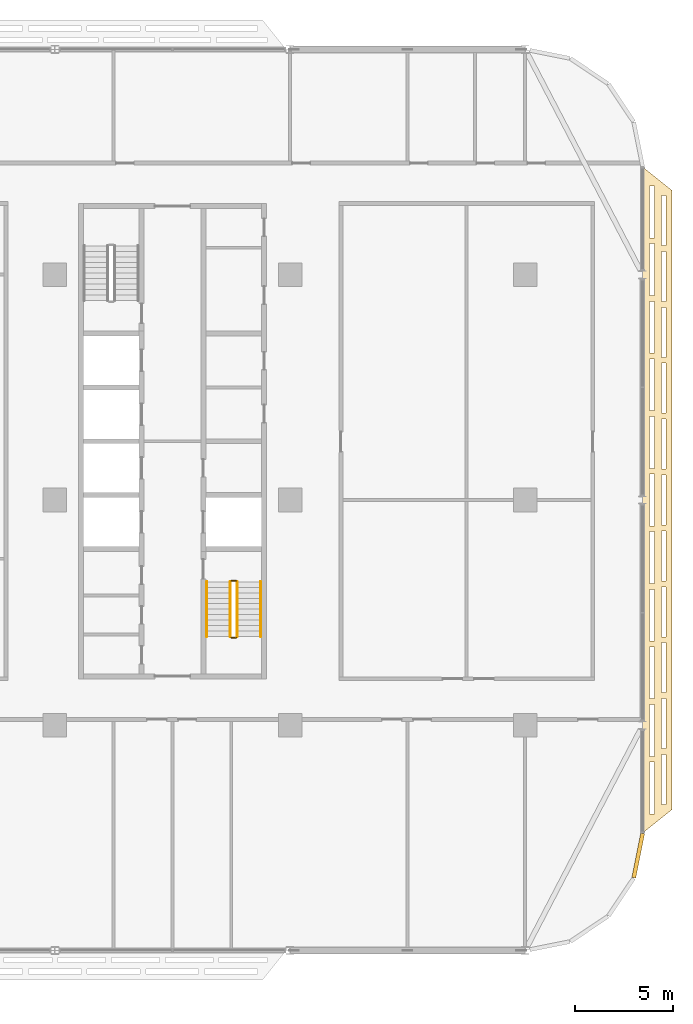
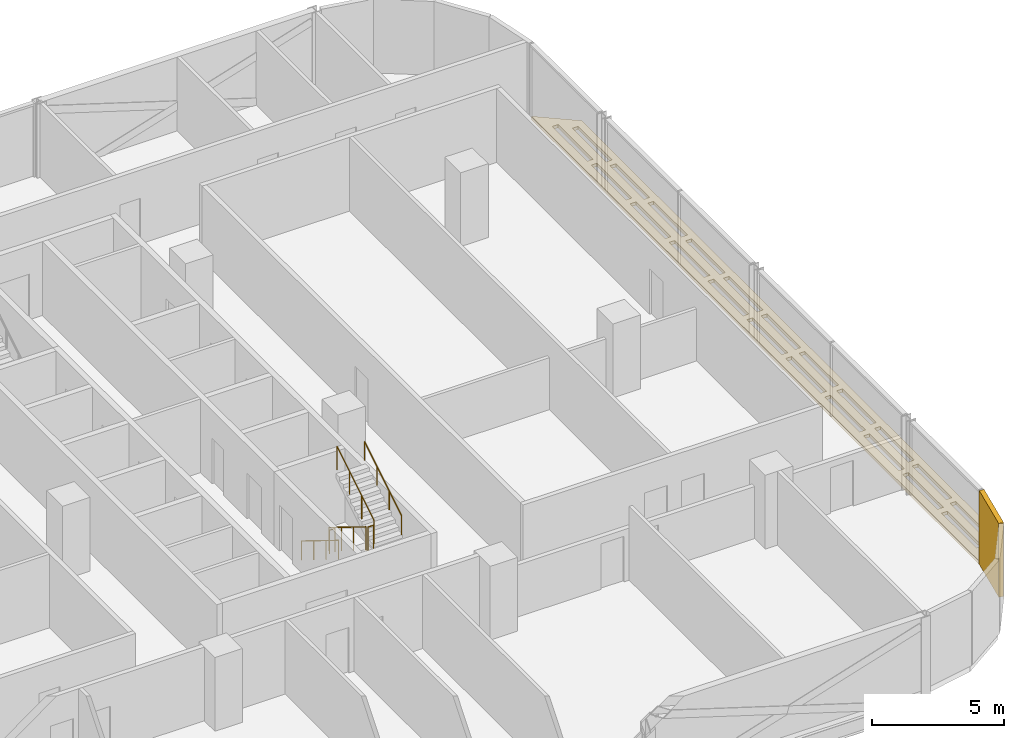
# One storey, part 27 of 28: 6 railings, 2 coverings.
"""IFC4 building model written with IfcOpenShell, lengths in metres."""

import ifcopenshell
import ifcopenshell.guid

model = None  # the IFC model being written
_history = None  # IfcOwnerHistory: only IFC2X3 demands one
_inside = {}  # id of a spatial element -> (the spatial element, [elements in it])
_under = {}  # id of a project, library or spatial element -> (it, [spatial elements below it])
_declared = {}  # id of a project -> (the project, [libraries it declares])
_typed = {}  # id of a type object -> (the type object, [elements of that type])
_made_of = {}  # id of a material, layer set ... -> (it, [elements and type objects made of it])


def new_model(schema):
    """Start an empty IFC model of exactly this schema.

    Asked for "IFC4X3", IfcOpenShell would pick the latest addendum, in which some entities
    have other attributes; the version numbers below select the first issue.
    IFC2X3 requires an IfcOwnerHistory on every rooted entity: one is made here for all.
    """
    global model, _history
    if schema == "IFC4X3":
        model = ifcopenshell.file(schema_version=(4, 3, 0, 0))
    else:
        model = ifcopenshell.file(schema=schema)
    _inside.clear()
    _under.clear()
    _declared.clear()
    _typed.clear()
    _made_of.clear()
    _history = None
    if model.schema == "IFC2X3":
        org = make("IfcOrganization", Name="unknown")
        user = make(
            "IfcPersonAndOrganization",
            ThePerson=make("IfcPerson", FamilyName="unknown"),
            TheOrganization=org,
        )
        app = make(
            "IfcApplication",
            ApplicationDeveloper=org,
            Version="unknown",
            ApplicationFullName="unknown",
            ApplicationIdentifier="unknown",
        )
        _history = make(
            "IfcOwnerHistory",
            OwningUser=user,
            OwningApplication=app,
            ChangeAction="ADDED",
            CreationDate=0,
        )
    return model


def make(cls, **values):
    """One entity of the class cls with the attributes given. An attribute that is None is left unset."""
    return model.create_entity(
        cls, **{name: value for name, value in values.items() if value is not None}
    )


def rooted(cls, **values):
    """An entity with a GlobalId (a new one), such as an element, a storey or a relation."""
    return make(cls, GlobalId=ifcopenshell.guid.new(), OwnerHistory=_history, **values)


def si_unit(unit_type, name, prefix=None):
    """IfcSIUnit, for example si_unit("LENGTHUNIT", "METRE", prefix="MILLI")."""
    return make("IfcSIUnit", UnitType=unit_type, Prefix=prefix, Name=name)


def assignment(units):
    """IfcUnitAssignment: the units of a project."""
    return None if units is None else make("IfcUnitAssignment", Units=units)


def point(xyz):
    """IfcCartesianPoint."""
    return None if xyz is None else make("IfcCartesianPoint", Coordinates=xyz)


def direction(xyz):
    """IfcDirection."""
    return None if xyz is None else make("IfcDirection", DirectionRatios=xyz)


def frame(location, z_axis=None, x_axis=None):
    """IfcAxis2Placement3D, a coordinate frame: its origin and axes. An axis left out is left unset."""
    return make(
        "IfcAxis2Placement3D",
        Location=point(location),
        Axis=direction(z_axis),
        RefDirection=direction(x_axis),
    )


def frame_2d(location, x_axis=None):
    """IfcAxis2Placement2D, a coordinate frame in the plane: its origin and x axis."""
    return make(
        "IfcAxis2Placement2D", Location=point(location), RefDirection=direction(x_axis)
    )


def origin():
    """The frame at (0, 0, 0) with its axes left unset."""
    return frame((0.0, 0.0, 0.0))


def origin_2d():
    """The frame at (0, 0) in the plane with its x axis left unset."""
    return frame_2d((0.0, 0.0))


def place(relative_to, where):
    """IfcLocalPlacement: puts the frame where relative to a parent placement (None: the world)."""
    return make(
        "IfcLocalPlacement", PlacementRelTo=relative_to, RelativePlacement=where
    )


def context(
    kind, dimensions, precision=None, world=None, true_north=None, identifier=None
):
    """IfcGeometricRepresentationContext, for example the 3D "Model" context."""
    return make(
        "IfcGeometricRepresentationContext",
        ContextIdentifier=identifier,
        ContextType=kind,
        CoordinateSpaceDimension=dimensions,
        Precision=precision,
        WorldCoordinateSystem=world,
        TrueNorth=true_north,
    )


def subcontext(parent, identifier, kind, view, scale=None):
    """IfcGeometricRepresentationSubContext, for example "Body" below "Model"."""
    return make(
        "IfcGeometricRepresentationSubContext",
        ContextIdentifier=identifier,
        ContextType=kind,
        ParentContext=parent,
        TargetScale=scale,
        TargetView=view,
    )


def project(units=None, contexts=None):
    """IfcProject with its units and contexts."""
    return rooted(
        "IfcProject",
        Name="project",
        RepresentationContexts=contexts,
        UnitsInContext=assignment(units),
    )


def spatial(cls, under=None, at=None, **own):
    """A site, building, storey or space (cls), placed at a placement, below another one or the project."""
    s = rooted(cls, ObjectPlacement=at, **own)
    if under is not None:
        _under.setdefault(under.id(), (under, []))[1].append(s)
    return s


def polyline(points):
    """IfcPolyline through the points."""
    return make("IfcPolyline", Points=[point(p) for p in points])


def profile(cls, at=None, kind="AREA", **sizes):
    """A parametric profile (cls). Its sizes go by their IFC names, for example OverallWidth=200.0."""
    return make(cls, ProfileType=kind, Position=at, **sizes)


def rectangle(**sizes):
    """IfcRectangleProfileDef."""
    return profile("IfcRectangleProfileDef", **sizes)


def circle(**sizes):
    """IfcCircleProfileDef."""
    return profile("IfcCircleProfileDef", **sizes)


def outline(outer, holes=None, kind="AREA"):
    """IfcArbitraryClosedProfileDef: a profile drawn as a closed curve; with holes, ...WithVoids."""
    if holes is None:
        return make("IfcArbitraryClosedProfileDef", ProfileType=kind, OuterCurve=outer)
    return make(
        "IfcArbitraryProfileDefWithVoids",
        ProfileType=kind,
        OuterCurve=outer,
        InnerCurves=holes,
    )


def extrude(swept, where, along, depth):
    """IfcExtrudedAreaSolid: the profile swept, set in the frame where, extruded along a direction by depth."""
    return make(
        "IfcExtrudedAreaSolid",
        SweptArea=swept,
        Position=where,
        ExtrudedDirection=direction(along),
        Depth=depth,
    )


def shape(context_of_items, identifier, shape_type, items):
    """IfcShapeRepresentation: the items that make up one representation, for example the "Body"."""
    return make(
        "IfcShapeRepresentation",
        ContextOfItems=context_of_items,
        RepresentationIdentifier=identifier,
        RepresentationType=shape_type,
        Items=items,
    )


def material(Name=None, Category=None):
    """IfcMaterial."""
    return make("IfcMaterial", Name=Name, Category=Category)


def layer(
    of_material, thickness, ventilated=None, Name=None, Category=None, Priority=None
):
    """IfcMaterialLayer: one layer of a wall or slab, of a material (None: an air gap)."""
    return make(
        "IfcMaterialLayer",
        Material=of_material,
        LayerThickness=thickness,
        IsVentilated=ventilated,
        Name=Name,
        Category=Category,
        Priority=Priority,
    )


def layer_set(layers, Name=None):
    """IfcMaterialLayerSet."""
    return make("IfcMaterialLayerSet", MaterialLayers=layers, LayerSetName=Name)


def made_of(thing, what):
    """Note that an element or type object is made of a material, layer set ...; save() writes the relation."""
    if what is not None:
        _made_of.setdefault(what.id(), (what, []))[1].append(thing)
    return thing


def type_object(cls, material=None, **own):
    """A type object (cls), such as IfcWallType, which elements share."""
    return made_of(rooted(cls, **own), material)


def element(
    cls,
    number,
    at=None,
    inside=None,
    cuts=None,
    type_object=None,
    material=None,
    context=None,
    identifier="Body",
    shape_type=None,
    held_by="IfcProductDefinitionShape",
    body=None,
    shapes=None,
    **own,
):
    """One element of the class cls, such as IfcWall. Its Tag is "e" and its number.

    at: its placement. inside: the storey or other place that contains it. cuts: it is an
    opening in that element (IfcRelVoidsElement). A single representation is given by context,
    identifier, shape_type and body (its items); several are given by shapes. held_by: the class
    of the entity that holds the representations. save() writes the other relations.
    """
    e = rooted(cls, Tag="e%d" % number, ObjectPlacement=at, **own)
    if body is not None:
        shapes = [shape(context, identifier, shape_type, body)]
    if shapes is not None:
        e.Representation = make(held_by, Representations=shapes)
    if inside is not None:
        _inside.setdefault(inside.id(), (inside, []))[1].append(e)
    if cuts is not None:
        rooted(
            "IfcRelVoidsElement", RelatingBuildingElement=cuts, RelatedOpeningElement=e
        )
    if type_object is not None:
        _typed.setdefault(type_object.id(), (type_object, []))[1].append(e)
    return made_of(e, material)


def aggregate(whole, parts):
    """IfcRelAggregates: a whole, such as a stair, and the parts it consists of."""
    return rooted("IfcRelAggregates", RelatingObject=whole, RelatedObjects=parts)


def save(model, path):
    """Write the relations noted so far, then the file.

    IfcRelAggregates (storeys below a building ...), IfcRelContainedInSpatialStructure (elements
    in a storey), IfcRelDefinesByType, IfcRelAssociatesMaterial and IfcRelDeclares: one each for
    every whole, place, type object, material and project.
    """
    for whole, parts in _under.values():
        aggregate(whole, parts)
    for where, things in _inside.values():
        rooted(
            "IfcRelContainedInSpatialStructure",
            RelatedElements=things,
            RelatingStructure=where,
        )
    for kind, things in _typed.values():
        rooted("IfcRelDefinesByType", RelatedObjects=things, RelatingType=kind)
    for what, things in _made_of.values():
        rooted("IfcRelAssociatesMaterial", RelatedObjects=things, RelatingMaterial=what)
    for by, libraries in _declared.values():
        rooted("IfcRelDeclares", RelatingContext=by, RelatedDefinitions=libraries)
    model.write(path)


model = new_model("IFC4")

# Units and contexts
model_context = context("Model", 3, precision=1e-05, world=origin(), true_north=direction((0.0, 1.0)))
body_context = subcontext(model_context, "Body", "Model", "MODEL_VIEW")
ifc_project = project(units=[si_unit("LENGTHUNIT", "METRE"), si_unit("AREAUNIT", "SQUARE_METRE"), si_unit("VOLUMEUNIT", "CUBIC_METRE"), si_unit("PLANEANGLEUNIT", "RADIAN"), si_unit("MASSUNIT", "GRAM", prefix="KILO")], contexts=[model_context])

# Site, building, storey
site_placement = place(None, origin())
site = spatial("IfcSite", under=ifc_project, at=site_placement, CompositionType="ELEMENT")
building_placement = place(site_placement, origin())
building = spatial("IfcBuilding", under=site, at=building_placement, Name="Mahtab Terrace Research Tower", CompositionType="ELEMENT")
storey_placement = place(building_placement, frame((0.0, 0.0, 185.800048828125)))
storey = spatial("IfcBuildingStorey", under=building, at=storey_placement, Name="L44", CompositionType="ELEMENT", Elevation=185.800048828125)

# Coverings
ifc_material_1 = material(Name="Black aluminium cladding panel", Category="aluminium")
ifc_layer_1 = layer(ifc_material_1, 0.199951171875)
ifc_layer_set_1 = layer_set([ifc_layer_1], Name="Black metal corner cladding 200")
covering_type_1 = type_object("IfcCoveringType", Name="Black metal corner cladding 200", PredefinedType="CLADDING", material=ifc_layer_set_1)
covering_1_placement = place(storey_placement, frame((47.771484375, -18.14794921875, 0.0), z_axis=(0.0, 0.0, 1.0), x_axis=(0.195212442692, 0.980760981187, 0.0)))
element("IfcCovering", 1, at=covering_1_placement, inside=storey, type_object=covering_type_1, Name="Corner cladding L44 33", PredefinedType="CLADDING", context=body_context, shape_type="SweptSolid", body=[
    extrude(rectangle(XDim=2.30126953125, YDim=0.199951171875, at=origin_2d()), origin(), (0.0, 0.0, 1.0), 3.39990234375),
])
ifc_material_2 = material(Name="Black anodised aluminium", Category="aluminium")
ifc_layer_2 = layer(ifc_material_2, 0.14990234375)
ifc_layer_set_2 = layer_set([ifc_layer_2], Name="Horizontal sunshade band")
covering_type_2 = type_object("IfcCoveringType", Name="Horizontal sunshade band", PredefinedType="CLADDING", material=ifc_layer_set_2)
covering_2_placement = place(storey_placement, frame((0.0, 0.0, -0.150146484375)))
element("IfcCovering", 2, at=covering_2_placement, inside=storey, type_object=covering_type_2, Name="Sunshade band L44 34", PredefinedType="CLADDING", context=body_context, shape_type="SweptSolid", body=[
    extrude(outline(polyline([(48.0, -17.0), (48.0, 17.0), (49.5, 15.800048828125), (49.5, -15.800048828125), (48.0, -17.0)]), holes=[polyline([(48.35009765625, -16.02001953125), (48.35009765625, -13.3798828125), (48.60009765625, -13.3798828125), (48.60009765625, -16.02001953125), (48.35009765625, -16.02001953125)]), polyline([(48.35009765625, -13.080078125), (48.35009765625, -10.43994140625), (48.60009765625, -10.43994140625), (48.60009765625, -13.080078125), (48.35009765625, -13.080078125)]), polyline([(48.35009765625, -10.139892578125), (48.35009765625, -7.5), (48.60009765625, -7.5), (48.60009765625, -10.139892578125), (48.35009765625, -10.139892578125)]), polyline([(48.35009765625, -7.199951171875), (48.35009765625, -4.56005859375), (48.60009765625, -4.56005859375), (48.60009765625, -7.199951171875), (48.35009765625, -7.199951171875)]), polyline([(48.35009765625, -4.260009765625), (48.35009765625, -1.6201171875), (48.60009765625, -1.6201171875), (48.60009765625, -4.260009765625), (48.35009765625, -4.260009765625)]), polyline([(48.35009765625, -1.320068359375), (48.35009765625, 1.320068359375), (48.60009765625, 1.320068359375), (48.60009765625, -1.320068359375), (48.35009765625, -1.320068359375)]), polyline([(48.35009765625, 1.6201171875), (48.35009765625, 4.260009765625), (48.60009765625, 4.260009765625), (48.60009765625, 1.6201171875), (48.35009765625, 1.6201171875)]), polyline([(48.35009765625, 4.56005859375), (48.35009765625, 7.199951171875), (48.60009765625, 7.199951171875), (48.60009765625, 4.56005859375), (48.35009765625, 4.56005859375)]), polyline([(48.35009765625, 7.5), (48.35009765625, 10.139892578125), (48.60009765625, 10.139892578125), (48.60009765625, 7.5), (48.35009765625, 7.5)]), polyline([(48.35009765625, 10.43994140625), (48.35009765625, 13.080078125), (48.60009765625, 13.080078125), (48.60009765625, 10.43994140625), (48.35009765625, 10.43994140625)]), polyline([(48.35009765625, 13.3798828125), (48.35009765625, 16.02001953125), (48.60009765625, 16.02001953125), (48.60009765625, 13.3798828125), (48.35009765625, 13.3798828125)]), polyline([(48.949951171875, -15.5400390625), (48.949951171875, -12.987060546875), (49.199951171875, -12.987060546875), (49.199951171875, -15.5400390625), (48.949951171875, -15.5400390625)]), polyline([(48.949951171875, -12.68701171875), (48.949951171875, -10.135009765625), (49.199951171875, -10.135009765625), (49.199951171875, -12.68701171875), (48.949951171875, -12.68701171875)]), polyline([(48.949951171875, -9.8349609375), (48.949951171875, -7.281982421875), (49.199951171875, -7.281982421875), (49.199951171875, -9.8349609375), (48.949951171875, -9.8349609375)]), polyline([(48.949951171875, -6.98193359375), (48.949951171875, -4.428955078125), (49.199951171875, -4.428955078125), (49.199951171875, -6.98193359375), (48.949951171875, -6.98193359375)]), polyline([(48.949951171875, -4.12890625), (48.949951171875, -1.575927734375), (49.199951171875, -1.575927734375), (49.199951171875, -4.12890625), (48.949951171875, -4.12890625)]), polyline([(48.949951171875, -1.27587890625), (48.949951171875, 1.27587890625), (49.199951171875, 1.27587890625), (49.199951171875, -1.27587890625), (48.949951171875, -1.27587890625)]), polyline([(48.949951171875, 1.575927734375), (48.949951171875, 4.12890625), (49.199951171875, 4.12890625), (49.199951171875, 1.575927734375), (48.949951171875, 1.575927734375)]), polyline([(48.949951171875, 4.428955078125), (48.949951171875, 6.98193359375), (49.199951171875, 6.98193359375), (49.199951171875, 4.428955078125), (48.949951171875, 4.428955078125)]), polyline([(48.949951171875, 7.281982421875), (48.949951171875, 9.8349609375), (49.199951171875, 9.8349609375), (49.199951171875, 7.281982421875), (48.949951171875, 7.281982421875)]), polyline([(48.949951171875, 10.135009765625), (48.949951171875, 12.68701171875), (49.199951171875, 12.68701171875), (49.199951171875, 10.135009765625), (48.949951171875, 10.135009765625)]), polyline([(48.949951171875, 12.987060546875), (48.949951171875, 15.5400390625), (49.199951171875, 15.5400390625), (49.199951171875, 12.987060546875), (48.949951171875, 12.987060546875)])]), origin(), (0.0, 0.0, 1.0), 0.150146484375),
])

# Railings
ifc_material_3 = material(Name="Stainless steel AISI 304", Category="steel")
railing_type_1 = type_object("IfcRailingType", Name="Stair guard 1100", PredefinedType="GUARDRAIL", material=ifc_material_3)
railing_1_placement = place(storey_placement, frame((26.949951171875, -4.175048828125, 0.172607421875)))
element("IfcRailing", 3, at=railing_1_placement, inside=storey, type_object=railing_type_1, Name="L44 ST4 stair guard 1", PredefinedType="GUARDRAIL", context=body_context, shape_type="SweptSolid", body=[
    extrude(circle(Radius=0.02392578125, at=origin_2d()), frame((0.0, 0.0, 1.076171875), z_axis=(0.0, -0.851089632645, 0.525020415988), x_axis=(1.0, 0.0, 0.0)), (0.0, 0.0, 1.0), 3.2900390625),
    extrude(circle(Radius=0.02099609375, at=origin_2d()), origin(), (0.0, 0.0, 1.0), 1.052001953125),
    extrude(circle(Radius=0.02099609375, at=origin_2d()), frame((0.0, -0.933349609375, 0.57568359375)), (0.0, 0.0, 1.0), 1.052001953125),
    extrude(circle(Radius=0.02099609375, at=origin_2d()), frame((0.0, -1.86669921875, 1.151611328125)), (0.0, 0.0, 1.0), 1.052001953125),
    extrude(circle(Radius=0.02099609375, at=origin_2d()), frame((0.0, -2.800048828125, 1.727294921875)), (0.0, 0.0, 1.0), 1.052001953125),
])
railing_2_placement = place(storey_placement, frame((27.0, -7.02490234375, 1.89990234375)))
element("IfcRailing", 4, at=railing_2_placement, inside=storey, type_object=railing_type_1, Name="L44 ST4 stair guard 2", PredefinedType="GUARDRAIL", context=body_context, shape_type="SweptSolid", body=[
    extrude(circle(Radius=0.02392578125, at=origin_2d()), frame((0.0, 0.0, 1.076171875), z_axis=(1.0, 0.0, 0.0), x_axis=(0.0, 1.0, 0.0)), (0.0, 0.0, 1.0), 0.25),
    extrude(circle(Radius=0.02099609375, at=origin_2d()), origin(), (0.0, 0.0, 1.0), 1.052001953125),
    extrude(circle(Radius=0.02099609375, at=origin_2d()), frame((0.25, 0.0, 0.0)), (0.0, 0.0, 1.0), 1.052001953125),
])
railing_3_placement = place(storey_placement, frame((27.300048828125, -6.97509765625, 2.07275390625)))
element("IfcRailing", 5, at=railing_3_placement, inside=storey, type_object=railing_type_1, Name="L44 ST4 stair guard 3", PredefinedType="GUARDRAIL", context=body_context, shape_type="SweptSolid", body=[
    extrude(circle(Radius=0.02392578125, at=origin_2d()), frame((0.0, 0.0, 1.076171875), z_axis=(0.0, 0.851089632645, 0.525020415988), x_axis=(-1.0, 0.0, 0.0)), (0.0, 0.0, 1.0), 3.2900390625),
    extrude(circle(Radius=0.02099609375, at=origin_2d()), origin(), (0.0, 0.0, 1.0), 1.052001953125),
    extrude(circle(Radius=0.02099609375, at=origin_2d()), frame((0.0, 0.933349609375, 0.57568359375)), (0.0, 0.0, 1.0), 1.052001953125),
    extrude(circle(Radius=0.02099609375, at=origin_2d()), frame((0.0, 1.86669921875, 1.151611328125)), (0.0, 0.0, 1.0), 1.052001953125),
    extrude(circle(Radius=0.02099609375, at=origin_2d()), frame((0.0, 2.800048828125, 1.727294921875)), (0.0, 0.0, 1.0), 1.052001953125),
])
railing_4_placement = place(storey_placement, frame((27.0, -4.125, 0.0)))
element("IfcRailing", 6, at=railing_4_placement, inside=storey, type_object=railing_type_1, Name="L44 ST4 stair guard 4", PredefinedType="GUARDRAIL", context=body_context, shape_type="SweptSolid", body=[
    extrude(circle(Radius=0.02392578125, at=origin_2d()), frame((0.0, 0.0, 1.076171875), z_axis=(1.0, 0.0, 0.0), x_axis=(0.0, 1.0, 0.0)), (0.0, 0.0, 1.0), 0.25),
    extrude(circle(Radius=0.02099609375, at=origin_2d()), origin(), (0.0, 0.0, 1.0), 1.052001953125),
    extrude(circle(Radius=0.02099609375, at=origin_2d()), frame((0.25, 0.0, 0.0)), (0.0, 0.0, 1.0), 1.052001953125),
])
railing_type_2 = type_object("IfcRailingType", Name="Stair handrail 900", PredefinedType="HANDRAIL", material=ifc_material_3)
railing_5_placement = place(storey_placement, frame((25.75, -4.175048828125, 0.172607421875)))
element("IfcRailing", 7, at=railing_5_placement, inside=storey, type_object=railing_type_2, Name="L44 ST4 stair handrail 1", PredefinedType="HANDRAIL", context=body_context, shape_type="SweptSolid", body=[
    extrude(circle(Radius=0.02392578125, at=origin_2d()), frame((0.0, 0.0, 0.8759765625), z_axis=(0.0, -0.851089632645, 0.525020415988), x_axis=(1.0, 0.0, 0.0)), (0.0, 0.0, 1.0), 3.2900390625),
    extrude(circle(Radius=0.02099609375, at=origin_2d()), origin(), (0.0, 0.0, 1.0), 0.851806640625),
    extrude(circle(Radius=0.02099609375, at=origin_2d()), frame((0.0, -0.933349609375, 0.57568359375)), (0.0, 0.0, 1.0), 0.851806640625),
    extrude(circle(Radius=0.02099609375, at=origin_2d()), frame((0.0, -1.86669921875, 1.151611328125)), (0.0, 0.0, 1.0), 0.851806640625),
    extrude(circle(Radius=0.02099609375, at=origin_2d()), frame((0.0, -2.800048828125, 1.727294921875)), (0.0, 0.0, 1.0), 0.851806640625),
])
railing_6_placement = place(storey_placement, frame((28.5, -6.97509765625, 2.07275390625)))
element("IfcRailing", 8, at=railing_6_placement, inside=storey, type_object=railing_type_2, Name="L44 ST4 stair handrail 2", PredefinedType="HANDRAIL", context=body_context, shape_type="SweptSolid", body=[
    extrude(circle(Radius=0.02392578125, at=origin_2d()), frame((0.0, 0.0, 0.8759765625), z_axis=(0.0, 0.851089632645, 0.525020415988), x_axis=(-1.0, 0.0, 0.0)), (0.0, 0.0, 1.0), 3.2900390625),
    extrude(circle(Radius=0.02099609375, at=origin_2d()), origin(), (0.0, 0.0, 1.0), 0.851806640625),
    extrude(circle(Radius=0.02099609375, at=origin_2d()), frame((0.0, 0.933349609375, 0.57568359375)), (0.0, 0.0, 1.0), 0.851806640625),
    extrude(circle(Radius=0.02099609375, at=origin_2d()), frame((0.0, 1.86669921875, 1.151611328125)), (0.0, 0.0, 1.0), 0.851806640625),
    extrude(circle(Radius=0.02099609375, at=origin_2d()), frame((0.0, 2.800048828125, 1.727294921875)), (0.0, 0.0, 1.0), 0.851806640625),
])

save(model, "model.ifc")
